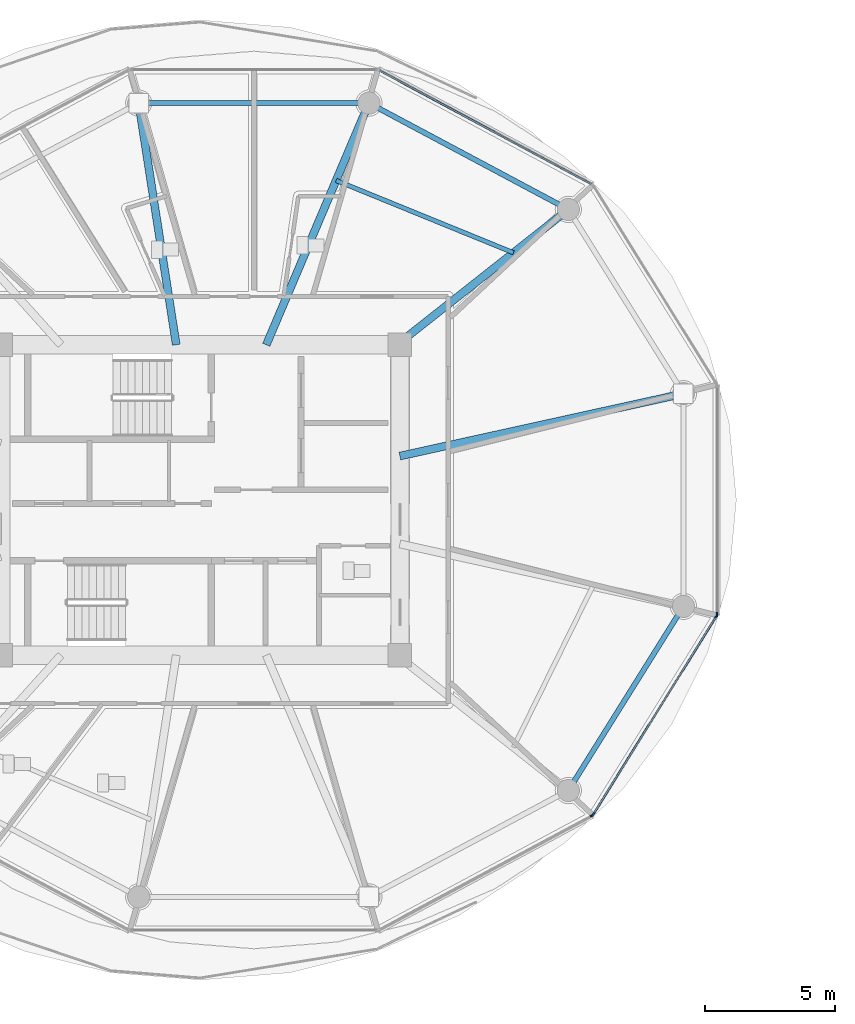
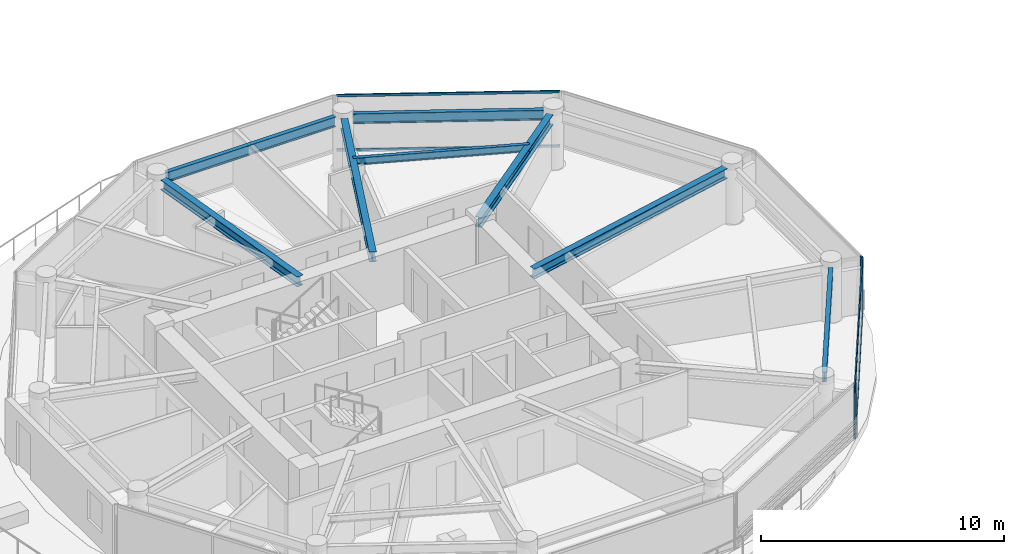
# One storey, part 5 of 32: 8 beams, 8 members, 4 elements without a shape of their own.
"""IFC4 building model written with IfcOpenShell, lengths in metres."""

from ifc_helpers import new_model, si_unit, direction, frame, origin, origin_2d, place, context, subcontext, project, spatial, rectangle, i_section, extrude, source, transform, mapped, material, layer, layer_set, material_profile, profile_set, type_object, type_shapes, element, aggregate, save


model = new_model("IFC4")

# Units and contexts
model_context = context("Model", 3, precision=1e-05, world=origin(), true_north=direction((0.0, 1.0)))
body_context = subcontext(model_context, "Body", "Model", "MODEL_VIEW")
ifc_project = project(units=[si_unit("LENGTHUNIT", "METRE"), si_unit("AREAUNIT", "SQUARE_METRE"), si_unit("VOLUMEUNIT", "CUBIC_METRE"), si_unit("PLANEANGLEUNIT", "RADIAN"), si_unit("MASSUNIT", "GRAM", prefix="KILO")], contexts=[model_context])

# Site, building, storey
site_placement = place(None, origin())
site = spatial("IfcSite", under=ifc_project, at=site_placement, CompositionType="ELEMENT")
building_placement = place(site_placement, origin())
building = spatial("IfcBuilding", under=site, at=building_placement, Name="Norrkilde Senior Care Towers", CompositionType="ELEMENT")
storey_placement = place(building_placement, frame((0.0, 0.0, 77.949951171875)))
storey = spatial("IfcBuildingStorey", under=building, at=storey_placement, Name="L23", CompositionType="ELEMENT", Elevation=77.949951171875)

# Beams
ifc_material_1 = material(Name="Steel S355", Category="steel")
ifc_material_profile_1 = material_profile(ifc_material_1, i_section(OverallWidth=0.199951171875, OverallDepth=0.5, WebThickness=0.01025390625, FlangeThickness=0.01611328125, FilletRadius=0.02099609375, at=origin_2d()), Name="IPE 500")
ifc_profile_set_1 = profile_set([ifc_material_profile_1], Name="Steel S355")
beam_type_1 = type_object("IfcBeamType", Name="Perimeter Ring Spandrel Z2 IPE500", PredefinedType="SPANDREL", material=ifc_profile_set_1)
shared_shape_1 = source(origin(), body_context, "Body", "SweptSolid", [
    extrude(i_section(OverallWidth=0.199951171875, OverallDepth=0.5, WebThickness=0.01025390625, FlangeThickness=0.01611328125, FilletRadius=0.02099609375, at=origin_2d()), origin(), (0.0, 0.0, 1.0), 7.55615234375),
])
beam_1_placement = place(storey_placement, frame((-13.689697265625, -10.810546875, 2.5400390625), z_axis=(0.529981514254, 0.848009194849, 0.0), x_axis=(-0.848009194849, 0.529981514254, 0.0)))
element("IfcBeam", 1, at=beam_1_placement, inside=storey, type_object=beam_type_1, Name="L23 Drum W Perimeter Spandrel 11", PredefinedType="SPANDREL", context=body_context, shape_type="MappedRepresentation", body=[
    mapped(shared_shape_1, transform((0.0, 0.0, 0.0), x_axis=(1.0, 0.0, 0.0), y_axis=(0.0, 1.0, 0.0), z_axis=(0.0, 0.0, 1.0), scale=1.0)),
])
ifc_material_profile_2 = material_profile(ifc_material_1, i_section(OverallWidth=0.300048828125, OverallDepth=0.5, WebThickness=0.014404296875, FlangeThickness=0.028076171875, FilletRadius=0.027099609375, at=origin_2d()), Name="HEB 500")
ifc_profile_set_2 = profile_set([ifc_material_profile_2], Name="Steel S355")
beam_type_2 = type_object("IfcBeamType", Name="Radial Floor Beam Z2 HEB500", PredefinedType="BEAM", material=ifc_profile_set_2)
shared_shape_2 = source(origin(), body_context, "Body", "SweptSolid", [
    extrude(i_section(OverallWidth=0.300048828125, OverallDepth=0.5, WebThickness=0.014404296875, FlangeThickness=0.028076171875, FilletRadius=0.027099609375, at=origin_2d()), origin(), (0.0, 0.0, 1.0), 10.744384765625),
])
beam_2_placement = place(storey_placement, frame((-20.35009765625, 1.683837890625, 2.5400390625), z_axis=(0.976618711422, 0.214978818724, 0.0), x_axis=(-0.214978818724, 0.976618711422, 0.0)))
element("IfcBeam", 2, at=beam_2_placement, inside=storey, type_object=beam_type_2, Name="L23 Drum W Radial Floor Beam 01", PredefinedType="BEAM", context=body_context, shape_type="MappedRepresentation", body=[
    mapped(shared_shape_2, transform((0.0, 0.0, 0.0), x_axis=(1.0, 0.0, 0.0), y_axis=(0.0, 1.0, 0.0), z_axis=(0.0, 0.0, 1.0), scale=1.0)),
])
shared_shape_3 = source(origin(), body_context, "Body", "SweptSolid", [
    extrude(i_section(OverallWidth=0.199951171875, OverallDepth=0.5, WebThickness=0.01025390625, FlangeThickness=0.01611328125, FilletRadius=0.02099609375, at=origin_2d()), origin(), (0.0, 0.0, 1.0), 7.892333984375),
])
beam_3_placement = place(storey_placement, frame((-14.233642578125, 11.318115234375, 2.5400390625), z_axis=(-0.882350372282, 0.47059305194, 0.0), x_axis=(-0.47059305194, -0.882350372282, 0.0)))
element("IfcBeam", 3, at=beam_3_placement, inside=storey, type_object=beam_type_1, Name="L23 Drum W Perimeter Spandrel 02", PredefinedType="SPANDREL", context=body_context, shape_type="MappedRepresentation", body=[
    mapped(shared_shape_3, transform((0.0, 0.0, 0.0), x_axis=(1.0, 0.0, 0.0), y_axis=(0.0, 1.0, 0.0), z_axis=(0.0, 0.0, 1.0), scale=1.0)),
])
shared_shape_4 = source(origin(), body_context, "Body", "SweptSolid", [
    extrude(i_section(OverallWidth=0.300048828125, OverallDepth=0.5, WebThickness=0.014404296875, FlangeThickness=0.028076171875, FilletRadius=0.027099609375, at=origin_2d()), origin(), (0.0, 0.0, 1.0), 7.985595703125),
])
beam_4_placement = place(storey_placement, frame((-20.463623046875, 5.949951171875, 2.5400390625), z_axis=(0.784858505144, 0.619675017169, 0.0), x_axis=(-0.619675017169, 0.784858505144, 0.0)))
element("IfcBeam", 4, at=beam_4_placement, inside=storey, type_object=beam_type_2, Name="L23 Drum W Radial Floor Beam 02", PredefinedType="BEAM", context=body_context, shape_type="MappedRepresentation", body=[
    mapped(shared_shape_4, transform((0.0, 0.0, 0.0), x_axis=(1.0, 0.0, 0.0), y_axis=(0.0, 1.0, 0.0), z_axis=(0.0, 0.0, 1.0), scale=1.0)),
])
shared_shape_5 = source(origin(), body_context, "Body", "SweptSolid", [
    extrude(i_section(OverallWidth=0.199951171875, OverallDepth=0.5, WebThickness=0.01025390625, FlangeThickness=0.01611328125, FilletRadius=0.02099609375, at=origin_2d()), origin(), (0.0, 0.0, 1.0), 8.0556640625),
])
type_shapes(beam_type_1, [shared_shape_1, shared_shape_3, shared_shape_5])
beam_5_placement = place(storey_placement, frame((-21.922119140625, 15.21337890625, 2.5400390625), z_axis=(-1.0, 0.0, 0.0), x_axis=(0.0, -1.0, 0.0)))
element("IfcBeam", 5, at=beam_5_placement, inside=storey, type_object=beam_type_1, Name="L23 Drum W Perimeter Spandrel 03", PredefinedType="SPANDREL", context=body_context, shape_type="MappedRepresentation", body=[
    mapped(shared_shape_5, transform((0.0, 0.0, 0.0), x_axis=(1.0, 0.0, 0.0), y_axis=(0.0, 1.0, 0.0), z_axis=(0.0, 0.0, 1.0), scale=1.0)),
])
shared_shape_6 = source(origin(), body_context, "Body", "SweptSolid", [
    extrude(i_section(OverallWidth=0.300048828125, OverallDepth=0.5, WebThickness=0.014404296875, FlangeThickness=0.028076171875, FilletRadius=0.027099609375, at=origin_2d()), origin(), (0.0, 0.0, 1.0), 9.679443359375),
])
beam_6_placement = place(storey_placement, frame((-25.472412109375, 5.949951171875, 2.5400390625), z_axis=(0.390998033479, 0.920391513333, 0.0), x_axis=(-0.920391513333, 0.390998033479, 0.0)))
element("IfcBeam", 6, at=beam_6_placement, inside=storey, type_object=beam_type_2, Name="L23 Drum W Radial Floor Beam 03", PredefinedType="BEAM", context=body_context, shape_type="MappedRepresentation", body=[
    mapped(shared_shape_6, transform((0.0, 0.0, 0.0), x_axis=(1.0, 0.0, 0.0), y_axis=(0.0, 1.0, 0.0), z_axis=(0.0, 0.0, 1.0), scale=1.0)),
])
shared_shape_7 = source(origin(), body_context, "Body", "SweptSolid", [
    extrude(i_section(OverallWidth=0.300048828125, OverallDepth=0.5, WebThickness=0.014404296875, FlangeThickness=0.028076171875, FilletRadius=0.027099609375, at=origin_2d()), origin(), (0.0, 0.0, 1.0), 8.989501953125),
])
type_shapes(beam_type_2, [shared_shape_2, shared_shape_4, shared_shape_6, shared_shape_7])
beam_7_placement = place(storey_placement, frame((-28.924072265625, 5.949951171875, 2.5400390625), z_axis=(-0.153471298636, 0.988153105796, 0.0), x_axis=(-0.988153105796, -0.153471298636, 0.0)))
element("IfcBeam", 7, at=beam_7_placement, inside=storey, type_object=beam_type_2, Name="L23 Drum W Radial Floor Beam 04", PredefinedType="BEAM", context=body_context, shape_type="MappedRepresentation", body=[
    mapped(shared_shape_7, transform((0.0, 0.0, 0.0), x_axis=(1.0, 0.0, 0.0), y_axis=(0.0, 1.0, 0.0), z_axis=(0.0, 0.0, 1.0), scale=1.0)),
])
ifc_material_profile_3 = material_profile(ifc_material_1, i_section(OverallWidth=0.169921875, OverallDepth=0.360107421875, WebThickness=0.008056640625, FlangeThickness=0.0126953125, FilletRadius=0.01806640625, at=origin_2d()), Name="IPE 360")
ifc_profile_set_3 = profile_set([ifc_material_profile_3], Name="Steel S355")
beam_type_3 = type_object("IfcBeamType", Name="Secondary Floor Joist IPE360", PredefinedType="JOIST", material=ifc_profile_set_3)
shared_shape_8 = source(origin(), body_context, "Body", "SweptSolid", [
    extrude(i_section(OverallWidth=0.169921875, OverallDepth=0.360107421875, WebThickness=0.008056640625, FlangeThickness=0.0126953125, FilletRadius=0.01806640625, at=origin_2d()), origin(), (0.0, 0.0, 1.0), 7.343505859375),
])
type_shapes(beam_type_3, [shared_shape_8])
beam_8_placement = place(storey_placement, frame((-15.99609375, 9.47705078125, 2.610107421875), z_axis=(-0.926021784767, 0.377470070519, 0.0), x_axis=(-0.377470070519, -0.926021784767, 0.0)))
element("IfcBeam", 8, at=beam_8_placement, inside=storey, type_object=beam_type_3, Name="L23 Drum W Secondary Floor Joist 1", PredefinedType="JOIST", context=body_context, shape_type="MappedRepresentation", body=[
    mapped(shared_shape_8, transform((0.0, 0.0, 0.0), x_axis=(1.0, 0.0, 0.0), y_axis=(0.0, 1.0, 0.0), z_axis=(0.0, 0.0, 1.0), scale=1.0)),
])

# Curtain wall, member
ifc_material_2 = material(Name="Triple Low-E Insulated Glazing", Category="glass")
ifc_layer = layer(ifc_material_2, 0.195068359375)
ifc_layer_set = layer_set([ifc_layer], Name="Triple Low-E Insulated Glazing")
curtain_wall_type = type_object("IfcCurtainWallType", Name="CW3 Zone 2 Assisted Living Curtain Wall", PredefinedType="NOTDEFINED", material=ifc_layer_set)
curtain_wall_1_placement = place(storey_placement, origin())
curtain_wall_1 = element("IfcCurtainWall", 9, at=curtain_wall_1_placement, inside=storey, type_object=curtain_wall_type, Name="L23 Drum W Curtain Wall 09", PredefinedType="NOTDEFINED")
ifc_material_3 = material(Name="Anodised Aluminium", Category="aluminium")
ifc_material_profile_4 = material_profile(ifc_material_3, rectangle(XDim=0.06494140625, YDim=0.159912109375, at=origin_2d()), Name="ALU MULL 65x160")
ifc_profile_set_4 = profile_set([ifc_material_profile_4], Name="Anodised Aluminium")
member_type_1 = type_object("IfcMemberType", Name="Curtain Wall Mullion Z1-Z2 65x160", PredefinedType="MULLION", material=ifc_profile_set_4)
shared_shape_9 = source(origin(), body_context, "Body", "SweptSolid", [
    extrude(rectangle(XDim=0.06494140625, YDim=0.159912109375, at=origin_2d()), origin(), (0.0, 0.0, 1.0), 2.7900390625),
])
type_shapes(member_type_1, [shared_shape_9])
member_1_placement = place(storey_placement, frame((-12.98193359375, -12.0927734375, 0.0), z_axis=(0.0, 0.0, 1.0), x_axis=(0.472769402511, -0.881186184668, 0.0)))
member_1 = element("IfcMember", 10, at=member_1_placement, type_object=member_type_1, Name="CW-3 mullion 1", PredefinedType="MULLION", context=body_context, shape_type="MappedRepresentation", body=[
    mapped(shared_shape_9, transform((0.0, 0.0, 0.0), x_axis=(1.0, 0.0, 0.0), y_axis=(0.0, 1.0, 0.0), z_axis=(0.0, 0.0, 1.0), scale=1.0)),
])
aggregate(curtain_wall_1, [member_1])

# Curtain wall, members
curtain_wall_2_placement = place(storey_placement, origin())
curtain_wall_2 = element("IfcCurtainWall", 11, at=curtain_wall_2_placement, inside=storey, type_object=curtain_wall_type, Name="L23 Drum W Curtain Wall 10", PredefinedType="NOTDEFINED")
member_2_placement = place(storey_placement, frame((-8.21337890625, -4.4482421875, 0.0), z_axis=(0.0, 0.0, 1.0), x_axis=(0.849410171862, -0.527733228002, 0.0)))
member_2 = element("IfcMember", 12, at=member_2_placement, type_object=member_type_1, Name="CW-3 mullion 1", PredefinedType="MULLION", context=body_context, shape_type="MappedRepresentation", body=[
    mapped(shared_shape_9, transform((0.0, 0.0, 0.0), x_axis=(1.0, 0.0, 0.0), y_axis=(0.0, 1.0, 0.0), z_axis=(0.0, 0.0, 1.0), scale=1.0)),
])
member_3_placement = place(storey_placement, frame((-12.936279296875, -12.0498046875, 0.0), z_axis=(0.0, 0.0, 1.0), x_axis=(0.849410171862, -0.527733228002, 0.0)))
member_3 = element("IfcMember", 13, at=member_3_placement, type_object=member_type_1, Name="CW-3 mullion 2", PredefinedType="MULLION", context=body_context, shape_type="MappedRepresentation", body=[
    mapped(shared_shape_9, transform((0.0, 0.0, 0.0), x_axis=(1.0, 0.0, 0.0), y_axis=(0.0, 1.0, 0.0), z_axis=(0.0, 0.0, 1.0), scale=1.0)),
])

# Curtain wall, member
curtain_wall_3_placement = place(storey_placement, origin())
curtain_wall_3 = element("IfcCurtainWall", 14, at=curtain_wall_3_placement, inside=storey, type_object=curtain_wall_type, Name="L23 Drum W Curtain Wall 11", PredefinedType="NOTDEFINED")
member_4_placement = place(storey_placement, frame((-8.1962890625, -4.38818359375, 0.0), z_axis=(0.0, 0.0, 1.0), x_axis=(1.0, 0.0, 0.0)))
member_4 = element("IfcMember", 15, at=member_4_placement, type_object=member_type_1, Name="CW-3 mullion 2", PredefinedType="MULLION", context=body_context, shape_type="MappedRepresentation", body=[
    mapped(shared_shape_9, transform((0.0, 0.0, 0.0), x_axis=(1.0, 0.0, 0.0), y_axis=(0.0, 1.0, 0.0), z_axis=(0.0, 0.0, 1.0), scale=1.0)),
])
aggregate(curtain_wall_3, [member_4])

# Member
ifc_material_profile_5 = material_profile(ifc_material_3, rectangle(XDim=0.06005859375, YDim=0.1201171875, at=origin_2d()), Name="ALU TRAN 60x120")
ifc_profile_set_5 = profile_set([ifc_material_profile_5], Name="Anodised Aluminium")
member_type_2 = type_object("IfcMemberType", Name="Curtain Wall Transom Typical 60x120", PredefinedType="USERDEFINED", material=ifc_profile_set_5)
shared_shape_10 = source(origin(), body_context, "Body", "SweptSolid", [
    extrude(rectangle(XDim=0.06005859375, YDim=0.1201171875, at=origin_2d()), origin(), (0.0, 0.0, 1.0), 8.88427734375),
])
member_5_placement = place(storey_placement, frame((-8.23046875, -4.475830078125, 0.030029296875), z_axis=(-0.527749293309, -0.849400190377, 0.0), x_axis=(0.849400190377, -0.527749293309, 0.0)))
member_5 = element("IfcMember", 16, at=member_5_placement, type_object=member_type_2, Name="CW-3 transom 1.1", ObjectType="TRANSOM", PredefinedType="USERDEFINED", context=body_context, shape_type="MappedRepresentation", body=[
    mapped(shared_shape_10, transform((0.0, 0.0, 0.0), x_axis=(1.0, 0.0, 0.0), y_axis=(0.0, 1.0, 0.0), z_axis=(0.0, 0.0, 1.0), scale=1.0)),
])

member_6_placement = place(storey_placement, frame((-8.23046875, -4.475830078125, 2.760009765625), z_axis=(-0.527749293309, -0.849400190377, 0.0), x_axis=(0.849400190377, -0.527749293309, 0.0)))
member_6 = element("IfcMember", 17, at=member_6_placement, type_object=member_type_2, Name="CW-3 transom 1.2", ObjectType="TRANSOM", PredefinedType="USERDEFINED", context=body_context, shape_type="MappedRepresentation", body=[
    mapped(shared_shape_10, transform((0.0, 0.0, 0.0), x_axis=(1.0, 0.0, 0.0), y_axis=(0.0, 1.0, 0.0), z_axis=(0.0, 0.0, 1.0), scale=1.0)),
])

aggregate(curtain_wall_2, [member_2, member_3, member_5, member_6])

# Curtain wall, members
curtain_wall_4_placement = place(storey_placement, origin())
curtain_wall_4 = element("IfcCurtainWall", 18, at=curtain_wall_4_placement, inside=storey, type_object=curtain_wall_type, Name="L23 Drum W Curtain Wall 01", PredefinedType="NOTDEFINED")
shared_shape_11 = source(origin(), body_context, "Body", "SweptSolid", [
    extrude(rectangle(XDim=0.06005859375, YDim=0.1201171875, at=origin_2d()), origin(), (0.0, 0.0, 1.0), 9.220458984375),
])
type_shapes(member_type_2, [shared_shape_10, shared_shape_11])
member_7_placement = place(storey_placement, frame((-21.1357421875, 16.46728515625, 0.030029296875), z_axis=(0.881188517866, -0.472765053681, 0.0), x_axis=(0.472765053681, 0.881188517866, 0.0)))
member_7 = element("IfcMember", 19, at=member_7_placement, type_object=member_type_2, Name="CW-3 transom 1.1", ObjectType="TRANSOM", PredefinedType="USERDEFINED", context=body_context, shape_type="MappedRepresentation", body=[
    mapped(shared_shape_11, transform((0.0, 0.0, 0.0), x_axis=(1.0, 0.0, 0.0), y_axis=(0.0, 1.0, 0.0), z_axis=(0.0, 0.0, 1.0), scale=1.0)),
])
member_8_placement = place(storey_placement, frame((-21.1357421875, 16.46728515625, 2.760009765625), z_axis=(0.881188517866, -0.472765053681, 0.0), x_axis=(0.472765053681, 0.881188517866, 0.0)))
member_8 = element("IfcMember", 20, at=member_8_placement, type_object=member_type_2, Name="CW-3 transom 1.2", ObjectType="TRANSOM", PredefinedType="USERDEFINED", context=body_context, shape_type="MappedRepresentation", body=[
    mapped(shared_shape_11, transform((0.0, 0.0, 0.0), x_axis=(1.0, 0.0, 0.0), y_axis=(0.0, 1.0, 0.0), z_axis=(0.0, 0.0, 1.0), scale=1.0)),
])
aggregate(curtain_wall_4, [member_7, member_8])

save(model, "model.ifc")
